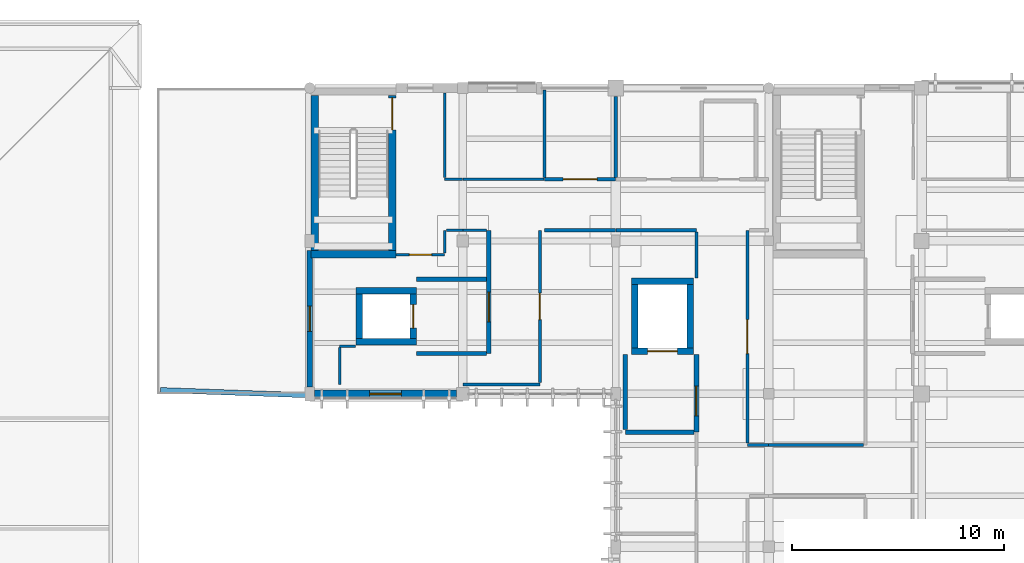
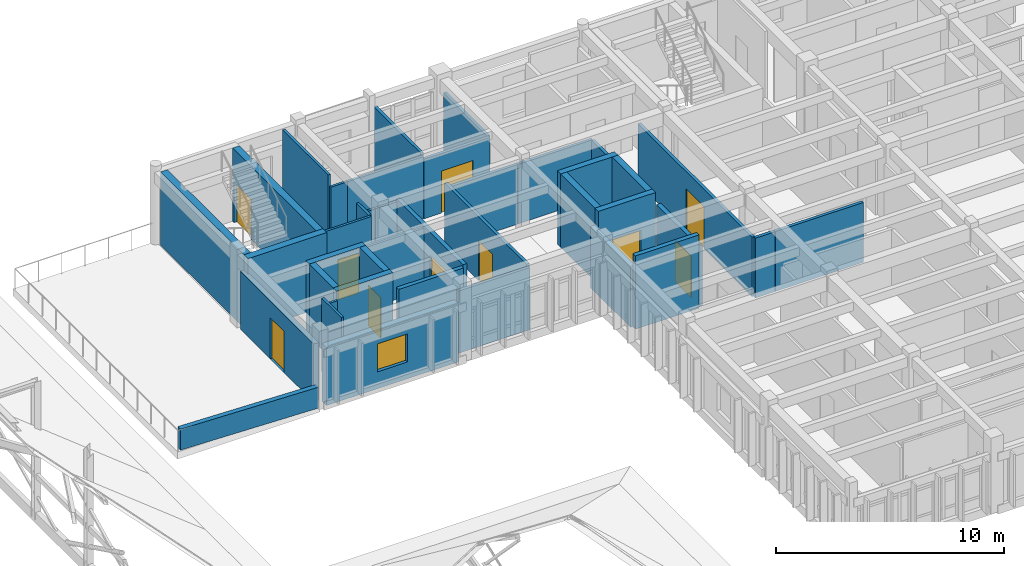
# One storey, part 36 of 51: 40 walls, 10 doors, 1 window, 11 openings.
"""IFC4 building model written with IfcOpenShell, lengths in metres."""

from ifc_helpers import new_model, si_unit, direction, frame, frame_2d, origin, place, context, subcontext, project, spatial, rectangle, extrude, material, layer, layer_set, type_object, element, fill, save


model = new_model("IFC4")

# Units and contexts
model_context = context("Model", 3, precision=1e-05, world=origin(), true_north=direction((0.0, 1.0)))
body_context = subcontext(model_context, "Body", "Model", "MODEL_VIEW")
ifc_project = project(units=[si_unit("LENGTHUNIT", "METRE"), si_unit("AREAUNIT", "SQUARE_METRE"), si_unit("VOLUMEUNIT", "CUBIC_METRE"), si_unit("PLANEANGLEUNIT", "RADIAN"), si_unit("MASSUNIT", "GRAM", prefix="KILO")], contexts=[model_context])

# Site, building, storey
site_placement = place(None, origin())
site = spatial("IfcSite", under=ifc_project, at=site_placement, CompositionType="ELEMENT")
building_placement = place(site_placement, origin())
building = spatial("IfcBuilding", under=site, at=building_placement, Name="Steenspoor Specialist Clinic", CompositionType="ELEMENT")
storey_placement = place(building_placement, frame((0.0, 0.0, 17.39990234375)))
storey = spatial("IfcBuildingStorey", under=building, at=storey_placement, Name="L04", CompositionType="ELEMENT", Elevation=17.39990234375)

# Wall, opening, window
ifc_material_1 = material(Name="Extruded clay brick masonry", Category="masonry")
ifc_layer_1 = layer(ifc_material_1, 0.3798828125)
ifc_layer_set_1 = layer_set([ifc_layer_1], Name="Extruded clay brick masonry")
wall_type_1 = type_object("IfcWallType", Name="W-BRICK-380", PredefinedType="USERDEFINED", material=ifc_layer_set_1)
wall_1_placement = place(storey_placement, frame((66.5, 93.949951171875, 0.0), z_axis=(0.0, 0.0, 1.0), x_axis=(-1.0, 0.0, 0.0)))
wall_1 = element("IfcWall", 1, at=wall_1_placement, inside=storey, type_object=wall_type_1, Name="Exterior Brick Wall EW-V4-L04-0198", ObjectType="CAVITY VENEER", PredefinedType="USERDEFINED", context=body_context, shape_type="SweptSolid", body=[
    extrude(rectangle(XDim=6.675048828125, YDim=0.3798828125, at=frame_2d((3.33740234375, 0.0))), origin(), (0.0, 0.0, 1.0), 3.10009765625),
])
opening_1_placement = place(wall_1_placement, frame((2.58740234375, 0.0, 0.89990234375)))
opening_1 = element("IfcOpeningElement", 2, at=opening_1_placement, cuts=wall_1, Name="Opening WN-12", PredefinedType="OPENING", context=body_context, shape_type="SweptSolid", body=[
    extrude(rectangle(XDim=1.5, YDim=1.5, at=frame_2d((0.75, 0.75))), frame((0.0, 0.199951171875, 0.0), z_axis=(0.0, -1.0, 0.0), x_axis=(1.0, 0.0, 0.0)), (0.0, 0.0, 1.0), 0.39990234375),
])
ifc_material_2 = material(Name="Thermally broken aluminium and low-emissivity glass", Category="aluminium")
window_type = type_object("IfcWindowType", Name="WN-EXT-150X150", PartitioningType="SINGLE_PANEL", PredefinedType="WINDOW", material=ifc_material_2)
window_placement = place(opening_1_placement, origin())
window = element("IfcWindow", 3, at=window_placement, inside=storey, type_object=window_type, Name="Window 0224", OverallHeight=1.5, OverallWidth=1.5, PartitioningType="SINGLE_PANEL", PredefinedType="WINDOW", context=body_context, shape_type="SweptSolid", body=[
    extrude(rectangle(XDim=1.5, YDim=1.5, at=frame_2d((0.75, 0.75))), frame((0.0, 0.030029296875, 0.0), z_axis=(0.0, -1.0, 0.0), x_axis=(1.0, 0.0, 0.0)), (0.0, 0.0, 1.0), 0.06005859375),
])
fill(opening_1, window)

# Walls
ifc_material_3 = material(Name="Gypsum acoustic clinical partition", Category="gypsum")
ifc_layer_2 = layer(ifc_material_3, 0.14990234375)
ifc_layer_set_2 = layer_set([ifc_layer_2], Name="Gypsum acoustic clinical partition")
wall_type_2 = type_object("IfcWallType", Name="W-CLIN-150", PredefinedType="PARTITIONING", material=ifc_layer_set_2)
wall_2_placement = place(storey_placement, frame((81.199951171875, 91.550048828125, 0.0), z_axis=(0.0, 0.0, 1.0), x_axis=(1.0, 0.0, 0.0)))
element("IfcWall", 4, at=wall_2_placement, inside=storey, type_object=wall_type_2, Name="Interior Partition IW-V4-L04-1803", PredefinedType="PARTITIONING", context=body_context, shape_type="SweptSolid", body=[
    extrude(rectangle(XDim=4.4599609375, YDim=0.14990234375, at=frame_2d((2.22998046875, 0.0))), origin(), (0.0, 0.0, 1.0), 3.205078125),
])
wall_3_placement = place(storey_placement, frame((80.199951171875, 91.550048828125, 0.0), z_axis=(0.0, 0.0, 1.0), x_axis=(1.0, 0.0, 0.0)))
element("IfcWall", 5, at=wall_3_placement, inside=storey, type_object=wall_type_2, Name="Interior Partition IW-V4-L04-1804", PredefinedType="PARTITIONING", context=body_context, shape_type="SweptSolid", body=[
    extrude(rectangle(XDim=0.985107421875, YDim=0.14990234375, at=frame_2d((0.49267578125, 0.0))), origin(), (0.0, 0.0, 1.0), 3.205078125),
])

# Wall, opening, door
wall_4_placement = place(storey_placement, frame((80.199951171875, 91.639892578125, 0.0), z_axis=(0.0, 0.0, 1.0), x_axis=(0.0, 1.0, 0.0)))
wall_4 = element("IfcWall", 6, at=wall_4_placement, inside=storey, type_object=wall_type_2, Name="Interior Partition IW-V4-L04-1805", PredefinedType="PARTITIONING", context=body_context, shape_type="SweptSolid", body=[
    extrude(rectangle(XDim=10.010009765625, YDim=0.14990234375, at=frame_2d((5.0048828125, 0.0))), origin(), (0.0, 0.0, 1.0), 3.18505859375),
])
opening_2_placement = place(wall_4_placement, frame((4.205078125, 0.0, 0.0)))
opening_2 = element("IfcOpeningElement", 7, at=opening_2_placement, cuts=wall_4, Name="Opening D0296", PredefinedType="OPENING", context=body_context, shape_type="SweptSolid", body=[
    extrude(rectangle(XDim=1.60009765625, YDim=2.25, at=frame_2d((0.800048828125, 1.125))), frame((0.0, 0.0849609375, 0.0), z_axis=(0.0, -1.0, 0.0), x_axis=(1.0, 0.0, 0.0)), (0.0, 0.0, 1.0), 0.169921875),
])
ifc_material_4 = material(Name="Hygienic HPL clinical timber door", Category="wood")
door_type_1 = type_object("IfcDoorType", Name="DT-PROC-160X225", OperationType="NOTDEFINED", PredefinedType="DOOR", material=ifc_material_4)
door_1_placement = place(opening_2_placement, origin())
door_1 = element("IfcDoor", 8, at=door_1_placement, inside=storey, type_object=door_type_1, Name="Clinical Door D0296", OperationType="SINGLE_SWING_LEFT", OverallHeight=2.25, OverallWidth=1.60009765625, PredefinedType="DOOR", context=body_context, shape_type="SweptSolid", body=[
    extrude(rectangle(XDim=1.60009765625, YDim=2.25, at=frame_2d((0.800048828125, 1.125))), frame((0.0, 0.02490234375, 0.0), z_axis=(0.0, -1.0, 0.0), x_axis=(1.0, 0.0, 0.0)), (0.0, 0.0, 1.0), 0.050048828125),
])
fill(opening_2, door_1)

# Wall
wall_5_placement = place(storey_placement, frame((66.800048828125, 94.39990234375, 0.0), z_axis=(0.0, 0.0, 1.0), x_axis=(1.0, 0.0, 0.0)))
element("IfcWall", 9, at=wall_5_placement, inside=storey, type_object=wall_type_2, Name="Interior Partition IW-V4-L04-1814", PredefinedType="PARTITIONING", context=body_context, shape_type="SweptSolid", body=[
    extrude(rectangle(XDim=3.6298828125, YDim=0.14990234375, at=frame_2d((1.81494140625, 0.0))), origin(), (0.0, 0.0, 1.0), 3.3251953125),
])

# Wall, opening, door
wall_6_placement = place(storey_placement, frame((70.429931640625, 94.489990234375, 0.0), z_axis=(0.0, 0.0, 1.0), x_axis=(0.0, 1.0, 0.0)))
wall_6 = element("IfcWall", 10, at=wall_6_placement, inside=storey, type_object=wall_type_2, Name="Interior Partition IW-V4-L04-1815", PredefinedType="PARTITIONING", context=body_context, shape_type="SweptSolid", body=[
    extrude(rectangle(XDim=7.159912109375, YDim=0.14990234375, at=frame_2d((3.580078125, 0.0))), origin(), (0.0, 0.0, 1.0), 3.425048828125),
])
opening_3_placement = place(wall_6_placement, frame((2.955078125, 0.0, 0.0)))
opening_3 = element("IfcOpeningElement", 11, at=opening_3_placement, cuts=wall_6, Name="Opening D0297", PredefinedType="OPENING", context=body_context, shape_type="SweptSolid", body=[
    extrude(rectangle(XDim=1.25, YDim=2.14990234375, at=frame_2d((0.625, 1.074951171875))), frame((0.0, 0.0849609375, 0.0), z_axis=(0.0, -1.0, 0.0), x_axis=(1.0, 0.0, 0.0)), (0.0, 0.0, 1.0), 0.169921875),
])
door_type_2 = type_object("IfcDoorType", Name="DT-EXAM-125X215", OperationType="NOTDEFINED", PredefinedType="DOOR", material=ifc_material_4)
door_2_placement = place(opening_3_placement, origin())
door_2 = element("IfcDoor", 12, at=door_2_placement, inside=storey, type_object=door_type_2, Name="Clinical Door D0297", OperationType="SINGLE_SWING_RIGHT", OverallHeight=2.14990234375, OverallWidth=1.25, PredefinedType="DOOR", context=body_context, shape_type="SweptSolid", body=[
    extrude(rectangle(XDim=1.25, YDim=2.14990234375, at=frame_2d((0.625, 1.074951171875))), frame((0.0, 0.02490234375, 0.0), z_axis=(0.0, -1.0, 0.0), x_axis=(1.0, 0.0, 0.0)), (0.0, 0.0, 1.0), 0.050048828125),
])
fill(opening_3, door_2)

# Walls
wall_7_placement = place(storey_placement, frame((70.64990234375, 101.64990234375, 0.0), z_axis=(0.0, 0.0, 1.0), x_axis=(1.0, 0.0, 0.0)))
element("IfcWall", 13, at=wall_7_placement, inside=storey, type_object=wall_type_2, Name="Interior Partition IW-V4-L04-1816", PredefinedType="PARTITIONING", context=body_context, shape_type="SweptSolid", body=[
    extrude(rectangle(XDim=3.35009765625, YDim=0.14990234375, at=frame_2d((1.675048828125, 0.0))), origin(), (0.0, 0.0, 1.0), 3.18505859375),
])
wall_8_placement = place(storey_placement, frame((74.014892578125, 101.64990234375, 0.0), z_axis=(0.0, 0.0, 1.0), x_axis=(1.0, 0.0, 0.0)))
element("IfcWall", 14, at=wall_8_placement, inside=storey, type_object=wall_type_2, Name="Interior Partition IW-V4-L04-1817", PredefinedType="PARTITIONING", context=body_context, shape_type="SweptSolid", body=[
    extrude(rectangle(XDim=3.78515625, YDim=0.14990234375, at=frame_2d((1.892578125, 0.0))), origin(), (0.0, 0.0, 1.0), 3.18505859375),
])
wall_9_placement = place(storey_placement, frame((77.800048828125, 99.39990234375, 0.0), z_axis=(0.0, 0.0, 1.0), x_axis=(0.0, 1.0, 0.0)))
element("IfcWall", 15, at=wall_9_placement, inside=storey, type_object=wall_type_2, Name="Interior Partition IW-V4-L04-1818", PredefinedType="PARTITIONING", context=body_context, shape_type="SweptSolid", body=[
    extrude(rectangle(XDim=2.16015625, YDim=0.14990234375, at=frame_2d((1.080078125, 0.0))), origin(), (0.0, 0.0, 1.0), 3.18505859375),
])

# Wall, opening, door
wall_10_placement = place(storey_placement, frame((70.64990234375, 104.050048828125, 0.0), z_axis=(0.0, 0.0, 1.0), x_axis=(1.0, 0.0, 0.0)))
wall_10 = element("IfcWall", 16, at=wall_10_placement, inside=storey, type_object=wall_type_2, Name="Interior Partition IW-V4-L04-1820", PredefinedType="PARTITIONING", context=body_context, shape_type="SweptSolid", body=[
    extrude(rectangle(XDim=3.35009765625, YDim=0.14990234375, at=frame_2d((1.675048828125, 0.0))), origin(), (0.0, 0.0, 1.0), 3.18505859375),
])
opening_4_placement = place(wall_10_placement, frame((0.875, 0.0, 0.0)))
opening_4 = element("IfcOpeningElement", 17, at=opening_4_placement, cuts=wall_10, Name="Opening D0301", PredefinedType="OPENING", context=body_context, shape_type="SweptSolid", body=[
    extrude(rectangle(XDim=1.60009765625, YDim=2.25, at=frame_2d((0.800048828125, 1.125))), frame((0.0, 0.0849609375, 0.0), z_axis=(0.0, -1.0, 0.0), x_axis=(1.0, 0.0, 0.0)), (0.0, 0.0, 1.0), 0.169921875),
])
door_3_placement = place(opening_4_placement, origin())
door_3 = element("IfcDoor", 18, at=door_3_placement, inside=storey, type_object=door_type_1, Name="Clinical Door D0301", OperationType="SINGLE_SWING_RIGHT", OverallHeight=2.25, OverallWidth=1.60009765625, PredefinedType="DOOR", context=body_context, shape_type="SweptSolid", body=[
    extrude(rectangle(XDim=1.60009765625, YDim=2.25, at=frame_2d((0.800048828125, 1.125))), frame((0.0, 0.02490234375, 0.0), z_axis=(0.0, -1.0, 0.0), x_axis=(1.0, 0.0, 0.0)), (0.0, 0.0, 1.0), 0.050048828125),
])
fill(opening_4, door_3)

# Walls
wall_11_placement = place(storey_placement, frame((70.64990234375, 104.139892578125, 0.0), z_axis=(0.0, 0.0, 1.0), x_axis=(0.0, 1.0, 0.0)))
element("IfcWall", 19, at=wall_11_placement, inside=storey, type_object=wall_type_2, Name="Interior Partition IW-V4-L04-1907", PredefinedType="PARTITIONING", context=body_context, shape_type="SweptSolid", body=[
    extrude(rectangle(XDim=4.105224609375, YDim=0.14990234375, at=frame_2d((2.052734375, 0.0))), origin(), (0.0, 0.0, 1.0), 3.445068359375),
])
wall_12_placement = place(storey_placement, frame((74.0, 104.139892578125, 0.0), z_axis=(0.0, 0.0, 1.0), x_axis=(0.0, 1.0, 0.0)))
element("IfcWall", 20, at=wall_12_placement, inside=storey, type_object=wall_type_2, Name="Interior Partition IW-V4-L04-1909", PredefinedType="PARTITIONING", context=body_context, shape_type="SweptSolid", body=[
    extrude(rectangle(XDim=3.820068359375, YDim=0.14990234375, at=frame_2d((1.91015625, 0.0))), origin(), (0.0, 0.0, 1.0), 3.18505859375),
])

# Wall, opening, door
ifc_material_5 = material(Name="Fire-rated clay blockwork masonry", Category="masonry")
ifc_layer_3 = layer(ifc_material_5, 0.219970703125)
ifc_layer_set_3 = layer_set([ifc_layer_3], Name="Fire-rated clay blockwork masonry")
wall_type_3 = type_object("IfcWallType", Name="W-FIRE-220", PredefinedType="PARTITIONING", material=ifc_layer_set_3)
wall_13_placement = place(storey_placement, frame((77.800048828125, 92.14990234375, 0.0), z_axis=(0.0, 0.0, 1.0), x_axis=(0.0, 1.0, 0.0)))
wall_13 = element("IfcWall", 21, at=wall_13_placement, inside=storey, type_object=wall_type_3, Name="Interior Partition IW-V4-L04-1786", PredefinedType="PARTITIONING", context=body_context, shape_type="SweptSolid", body=[
    extrude(rectangle(XDim=3.650146484375, YDim=0.219970703125, at=frame_2d((1.8251953125, 0.0))), origin(), (0.0, 0.0, 1.0), 3.255126953125),
])
opening_5_placement = place(wall_13_placement, frame((0.764892578125, 0.0, 0.0)))
opening_5 = element("IfcOpeningElement", 22, at=opening_5_placement, cuts=wall_13, Name="Opening D0287", PredefinedType="OPENING", context=body_context, shape_type="SweptSolid", body=[
    extrude(rectangle(XDim=1.39990234375, YDim=2.199951171875, at=frame_2d((0.699951171875, 1.10009765625))), frame((0.0, 0.1201171875, 0.0), z_axis=(0.0, -1.0, 0.0), x_axis=(1.0, 0.0, 0.0)), (0.0, 0.0, 1.0), 0.239990234375),
])
ifc_material_6 = material(Name="Fire-rated clinical laminate door", Category="steel")
door_type_3 = type_object("IfcDoorType", Name="DT-LAB-140X220", OperationType="NOTDEFINED", PredefinedType="DOOR", material=ifc_material_6)
door_4_placement = place(opening_5_placement, origin())
door_4 = element("IfcDoor", 23, at=door_4_placement, inside=storey, type_object=door_type_3, Name="Lift Lobby Fire Door D0287", OperationType="SINGLE_SWING_RIGHT", OverallHeight=2.199951171875, OverallWidth=1.39990234375, PredefinedType="DOOR", context=body_context, shape_type="SweptSolid", body=[
    extrude(rectangle(XDim=1.39990234375, YDim=2.199951171875, at=frame_2d((0.699951171875, 1.10009765625))), frame((0.0, 0.02490234375, 0.0), z_axis=(0.0, -1.0, 0.0), x_axis=(1.0, 0.0, 0.0)), (0.0, 0.0, 1.0), 0.050048828125),
])
fill(opening_5, door_4)

# Walls
wall_14_placement = place(storey_placement, frame((74.449951171875, 92.14990234375, 0.0), z_axis=(0.0, 0.0, 1.0), x_axis=(1.0, 0.0, 0.0)))
element("IfcWall", 24, at=wall_14_placement, inside=storey, type_object=wall_type_3, Name="Interior Partition IW-V4-L04-1792", PredefinedType="PARTITIONING", context=body_context, shape_type="SweptSolid", body=[
    extrude(rectangle(XDim=3.22509765625, YDim=0.219970703125, at=frame_2d((1.612548828125, 0.0))), origin(), (0.0, 0.0, 1.0), 3.920166015625),
])
wall_15_placement = place(storey_placement, frame((74.449951171875, 92.27490234375, 0.0), z_axis=(0.0, 0.0, 1.0), x_axis=(0.0, 1.0, 0.0)))
element("IfcWall", 25, at=wall_15_placement, inside=storey, type_object=wall_type_3, Name="Interior Partition IW-V4-L04-1793", PredefinedType="PARTITIONING", context=body_context, shape_type="SweptSolid", body=[
    extrude(rectangle(XDim=3.525146484375, YDim=0.219970703125, at=frame_2d((1.7626953125, 0.0))), origin(), (0.0, 0.0, 1.0), 3.255126953125),
])
ifc_layer_4 = layer(ifc_material_1, 0.239990234375)
ifc_layer_set_4 = layer_set([ifc_layer_4], Name="Extruded clay brick masonry")
wall_type_4 = type_object("IfcWallType", Name="W-PARAPET-240", PredefinedType="PARAPET", material=ifc_layer_set_4)
wall_16_placement = place(storey_placement, frame((52.580078125, 94.1298828125, 0.0), z_axis=(0.0, 0.0, 1.0), x_axis=(0.999385015723, -0.035065515079, 0.0)))
element("IfcWall", 26, at=wall_16_placement, inside=storey, type_object=wall_type_4, Name="Terrace Brick Parapet V4 L04 1", PredefinedType="PARAPET", context=body_context, shape_type="SweptSolid", body=[
    extrude(rectangle(XDim=6.843994140625, YDim=0.239990234375, at=frame_2d((3.421875, 0.0))), origin(), (0.0, 0.0, 1.0), 1.1201171875),
])
ifc_material_7 = material(Name="Gypsum studio partition board", Category="gypsum")
ifc_layer_5 = layer(ifc_material_7, 0.1201171875)
ifc_layer_set_5 = layer_set([ifc_layer_5], Name="Gypsum studio partition board")
wall_type_5 = type_object("IfcWallType", Name="W-PART-120", PredefinedType="PARTITIONING", material=ifc_layer_set_5)
wall_17_placement = place(storey_placement, frame((66.800048828125, 104.050048828125, 0.0), z_axis=(0.0, 0.0, 1.0), x_axis=(1.0, 0.0, 0.0)))
element("IfcWall", 27, at=wall_17_placement, inside=storey, type_object=wall_type_5, Name="Interior Partition IW-V4-L04-1852", PredefinedType="PARTITIONING", context=body_context, shape_type="SweptSolid", body=[
    extrude(rectangle(XDim=3.8349609375, YDim=0.1201171875, at=frame_2d((1.91748046875, 0.0))), origin(), (0.0, 0.0, 1.0), 3.3251953125),
])
wall_18_placement = place(storey_placement, frame((65.949951171875, 104.050048828125, 0.0), z_axis=(0.0, 0.0, 1.0), x_axis=(1.0, 0.0, 0.0)))
element("IfcWall", 28, at=wall_18_placement, inside=storey, type_object=wall_type_5, Name="Interior Partition IW-V4-L04-1853", PredefinedType="PARTITIONING", context=body_context, shape_type="SweptSolid", body=[
    extrude(rectangle(XDim=0.8349609375, YDim=0.1201171875, at=frame_2d((0.41748046875, 0.0))), origin(), (0.0, 0.0, 1.0), 3.3251953125),
])
wall_19_placement = place(storey_placement, frame((65.949951171875, 104.125, 0.0), z_axis=(0.0, 0.0, 1.0), x_axis=(0.0, 1.0, 0.0)))
element("IfcWall", 29, at=wall_19_placement, inside=storey, type_object=wall_type_5, Name="Interior Partition IW-V4-L04-1854", PredefinedType="PARTITIONING", context=body_context, shape_type="SweptSolid", body=[
    extrude(rectangle(XDim=3.989990234375, YDim=0.1201171875, at=frame_2d((1.9951171875, 0.0))), origin(), (0.0, 0.0, 1.0), 3.920166015625),
])

# Wall, opening, door
wall_20_placement = place(storey_placement, frame((63.6650390625, 100.5, 0.0), z_axis=(0.0, 0.0, 1.0), x_axis=(1.0, 0.0, 0.0)))
wall_20 = element("IfcWall", 30, at=wall_20_placement, inside=storey, type_object=wall_type_5, Name="Interior Partition IW-V4-L04-1855", PredefinedType="PARTITIONING", context=body_context, shape_type="SweptSolid", body=[
    extrude(rectangle(XDim=2.284912109375, YDim=0.1201171875, at=frame_2d((1.142578125, 0.0))), origin(), (0.0, 0.0, 1.0), 3.920166015625),
])
opening_6_placement = place(wall_20_placement, frame((0.617431640625, 0.0, 0.0)))
opening_6 = element("IfcOpeningElement", 31, at=opening_6_placement, cuts=wall_20, Name="Opening D0298", PredefinedType="OPENING", context=body_context, shape_type="SweptSolid", body=[
    extrude(rectangle(XDim=1.050048828125, YDim=2.14990234375, at=frame_2d((0.52490234375, 1.074951171875))), frame((0.0, 0.070068359375, 0.0), z_axis=(0.0, -1.0, 0.0), x_axis=(1.0, 0.0, 0.0)), (0.0, 0.0, 1.0), 0.14013671875),
])
ifc_material_8 = material(Name="Solid-core hardwood office door", Category="wood")
door_type_4 = type_object("IfcDoorType", Name="DT-OFF-105X215", OperationType="NOTDEFINED", PredefinedType="DOOR", material=ifc_material_8)
door_5_placement = place(opening_6_placement, origin())
door_5 = element("IfcDoor", 32, at=door_5_placement, inside=storey, type_object=door_type_4, Name="Clinical Door D0298", OperationType="SINGLE_SWING_LEFT", OverallHeight=2.14990234375, OverallWidth=1.050048828125, PredefinedType="DOOR", context=body_context, shape_type="SweptSolid", body=[
    extrude(rectangle(XDim=1.050048828125, YDim=2.14990234375, at=frame_2d((0.52490234375, 1.074951171875))), frame((0.0, 0.02490234375, 0.0), z_axis=(0.0, -1.0, 0.0), x_axis=(1.0, 0.0, 0.0)), (0.0, 0.0, 1.0), 0.050048828125),
])
fill(opening_6, door_5)

# Walls
wall_21_placement = place(storey_placement, frame((65.949951171875, 100.574951171875, 0.0), z_axis=(0.0, 0.0, 1.0), x_axis=(0.0, 1.0, 0.0)))
element("IfcWall", 33, at=wall_21_placement, inside=storey, type_object=wall_type_5, Name="Interior Partition IW-V4-L04-1856", PredefinedType="PARTITIONING", context=body_context, shape_type="SweptSolid", body=[
    extrude(rectangle(XDim=1.074951171875, YDim=0.1201171875, at=frame_2d((0.53759765625, 0.0))), origin(), (0.0, 0.0, 1.0), 3.920166015625),
])
wall_22_placement = place(storey_placement, frame((66.02490234375, 101.64990234375, 0.0), z_axis=(0.0, 0.0, 1.0), x_axis=(1.0, 0.0, 0.0)))
element("IfcWall", 34, at=wall_22_placement, inside=storey, type_object=wall_type_5, Name="Interior Partition IW-V4-L04-1857", PredefinedType="PARTITIONING", context=body_context, shape_type="SweptSolid", body=[
    extrude(rectangle(XDim=0.775146484375, YDim=0.1201171875, at=frame_2d((0.3876953125, 0.0))), origin(), (0.0, 0.0, 1.0), 3.3251953125),
])
wall_23_placement = place(storey_placement, frame((66.81494140625, 101.64990234375, 0.0), z_axis=(0.0, 0.0, 1.0), x_axis=(1.0, 0.0, 0.0)))
element("IfcWall", 35, at=wall_23_placement, inside=storey, type_object=wall_type_5, Name="Interior Partition IW-V4-L04-1858", PredefinedType="PARTITIONING", context=body_context, shape_type="SweptSolid", body=[
    extrude(rectangle(XDim=1.094970703125, YDim=0.1201171875, at=frame_2d((0.54736328125, 0.0))), origin(), (0.0, 0.0, 1.0), 3.3251953125),
])
wall_24_placement = place(storey_placement, frame((61.0, 96.199951171875, 0.0), z_axis=(0.0, 0.0, 1.0), x_axis=(1.0, 0.0, 0.0)))
element("IfcWall", 36, at=wall_24_placement, inside=storey, type_object=wall_type_5, Name="Interior Partition IW-V4-L04-1859", PredefinedType="PARTITIONING", context=body_context, shape_type="SweptSolid", body=[
    extrude(rectangle(XDim=0.760009765625, YDim=0.1201171875, at=frame_2d((0.3798828125, 0.0))), origin(), (0.0, 0.0, 1.0), 3.485107421875),
])
wall_25_placement = place(storey_placement, frame((61.0, 94.39990234375, 0.0), z_axis=(0.0, 0.0, 1.0), x_axis=(0.0, 1.0, 0.0)))
element("IfcWall", 37, at=wall_25_placement, inside=storey, type_object=wall_type_5, Name="Interior Partition IW-V4-L04-1860", PredefinedType="PARTITIONING", context=body_context, shape_type="SweptSolid", body=[
    extrude(rectangle(XDim=1.72509765625, YDim=0.1201171875, at=frame_2d((0.862548828125, 0.0))), origin(), (0.0, 0.0, 1.0), 3.920166015625),
])

# Wall, opening, door
ifc_layer_6 = layer(ifc_material_1, 0.260009765625)
ifc_layer_set_6 = layer_set([ifc_layer_6], Name="Extruded clay brick masonry")
wall_type_6 = type_object("IfcWallType", Name="W-SCREEN-260", PredefinedType="SOLIDWALL", material=ifc_layer_set_6)
wall_26_placement = place(storey_placement, frame((59.60009765625, 94.27490234375, 0.0), z_axis=(0.0, 0.0, 1.0), x_axis=(0.0, 1.0, 0.0)))
wall_26 = element("IfcWall", 38, at=wall_26_placement, inside=storey, type_object=wall_type_6, Name="Exterior Brick Wall EW-V4-L04-0199", PredefinedType="SOLIDWALL", context=body_context, shape_type="SweptSolid", body=[
    extrude(rectangle(XDim=6.425048828125, YDim=0.260009765625, at=frame_2d((3.21240234375, 0.0))), origin(), (0.0, 0.0, 1.0), 3.10009765625),
])
opening_7_placement = place(wall_26_placement, frame((2.612548828125, 0.0, 0.0)))
opening_7 = element("IfcOpeningElement", 39, at=opening_7_placement, cuts=wall_26, Name="Opening ED26", PredefinedType="OPENING", context=body_context, shape_type="SweptSolid", body=[
    extrude(rectangle(XDim=1.199951171875, YDim=2.199951171875, at=frame_2d((0.60009765625, 1.10009765625))), frame((0.0, 0.14013671875, 0.0), z_axis=(0.0, -1.0, 0.0), x_axis=(1.0, 0.0, 0.0)), (0.0, 0.0, 1.0), 0.280029296875),
])
ifc_material_9 = material(Name="Anodised aluminium and safety glass", Category="aluminium")
door_type_5 = type_object("IfcDoorType", Name="DT-TERR-120X220", OperationType="NOTDEFINED", PredefinedType="DOOR", material=ifc_material_9)
door_6_placement = place(opening_7_placement, origin())
door_6 = element("IfcDoor", 40, at=door_6_placement, inside=storey, type_object=door_type_5, Name="Roof Terrace Door ED26", OperationType="SINGLE_SWING_LEFT", OverallHeight=2.199951171875, OverallWidth=1.199951171875, PredefinedType="DOOR", context=body_context, shape_type="SweptSolid", body=[
    extrude(rectangle(XDim=1.199951171875, YDim=2.199951171875, at=frame_2d((0.60009765625, 1.10009765625))), frame((0.0, 0.02490234375, 0.0), z_axis=(0.0, -1.0, 0.0), x_axis=(1.0, 0.0, 0.0)), (0.0, 0.0, 1.0), 0.050048828125),
])
fill(opening_7, door_6)

ifc_material_10 = material(Name="Gypsum acoustic smoke barrier board", Category="gypsum")
ifc_layer_7 = layer(ifc_material_10, 0.199951171875)
ifc_layer_set_7 = layer_set([ifc_layer_7], Name="Gypsum acoustic smoke barrier board")
wall_type_7 = type_object("IfcWallType", Name="W-SMOKE-200", PredefinedType="PARTITIONING", material=ifc_layer_set_7)
wall_27_placement = place(storey_placement, frame((68.02490234375, 95.85009765625, 0.0), z_axis=(0.0, 0.0, 1.0), x_axis=(0.0, 1.0, 0.0)))
wall_27 = element("IfcWall", 41, at=wall_27_placement, inside=storey, type_object=wall_type_7, Name="Interior Partition IW-V4-L04-1788", PredefinedType="PARTITIONING", context=body_context, shape_type="SweptSolid", body=[
    extrude(rectangle(XDim=5.7998046875, YDim=0.199951171875, at=frame_2d((2.89990234375, 0.0))), origin(), (0.0, 0.0, 1.0), 3.425048828125),
])
opening_8_placement = place(wall_27_placement, frame((1.49609375, 0.0, 0.0)))
opening_8 = element("IfcOpeningElement", 42, at=opening_8_placement, cuts=wall_27, Name="Opening D0289", PredefinedType="OPENING", context=body_context, shape_type="SweptSolid", body=[
    extrude(rectangle(XDim=1.39990234375, YDim=2.199951171875, at=frame_2d((0.699951171875, 1.10009765625))), frame((0.0, 0.10986328125, 0.0), z_axis=(0.0, -1.0, 0.0), x_axis=(1.0, 0.0, 0.0)), (0.0, 0.0, 1.0), 0.219970703125),
])
door_7_placement = place(opening_8_placement, origin())
door_7 = element("IfcDoor", 43, at=door_7_placement, inside=storey, type_object=door_type_3, Name="Lift Lobby Fire Door D0289", OperationType="SINGLE_SWING_RIGHT", OverallHeight=2.199951171875, OverallWidth=1.39990234375, PredefinedType="DOOR", context=body_context, shape_type="SweptSolid", body=[
    extrude(rectangle(XDim=1.39990234375, YDim=2.199951171875, at=frame_2d((0.699951171875, 1.10009765625))), frame((0.0, 0.02490234375, 0.0), z_axis=(0.0, -1.0, 0.0), x_axis=(1.0, 0.0, 0.0)), (0.0, 0.0, 1.0), 0.050048828125),
])
fill(opening_8, door_7)

# Walls
for number, where, z_axis, x_axis, name in (
    (44, (64.625, 95.85009765625, 0.0), (0.0, 0.0, 1.0), (1.0, 0.0, 0.0), "Interior Partition IW-V4-L04-1789"),
    (45, (64.625, 99.35009765625, 0.0), (0.0, 0.0, 1.0), (1.0, 0.0, 0.0), "Interior Partition IW-V4-L04-1796"),
):
    element("IfcWall", number, at=place(storey_placement, frame(where, z_axis=z_axis, x_axis=x_axis)), inside=storey, type_object=wall_type_7, Name=name, PredefinedType="PARTITIONING", context=body_context, shape_type="SweptSolid", body=[
        extrude(rectangle(XDim=3.284912109375, YDim=0.199951171875, at=frame_2d((1.642578125, 0.0))), origin(), (0.0, 0.0, 1.0), 3.3251953125),
    ])

# Wall, opening, door
ifc_material_11 = material(Name="Concrete C40/50", Category="concrete")
ifc_layer_8 = layer(ifc_material_11, 0.300048828125)
ifc_layer_set_8 = layer_set([ifc_layer_8], Name="Concrete C40/50")
wall_type_8 = type_object("IfcWallType", Name="W-SW-300", PredefinedType="SHEAR", material=ifc_layer_set_8)
wall_28_placement = place(storey_placement, frame((74.75, 95.949951171875, 0.0), z_axis=(0.0, 0.0, 1.0), x_axis=(1.0, 0.0, 0.0)))
wall_28 = element("IfcWall", 46, at=wall_28_placement, inside=storey, type_object=wall_type_8, Name="Lift Shaft Shear Wall SW-EL-S1-L04-S", PredefinedType="SHEAR", context=body_context, shape_type="SweptSolid", body=[
    extrude(rectangle(XDim=2.89990234375, YDim=0.300048828125, at=frame_2d((1.449951171875, 0.0))), origin(), (0.0, 0.0, 1.0), 3.920166015625),
])
opening_9_placement = place(wall_28_placement, frame((0.75, 0.0, 0.0)))
opening_9 = element("IfcOpeningElement", 47, at=opening_9_placement, cuts=wall_28, Name="Opening LD05", PredefinedType="OPENING", context=body_context, shape_type="SweptSolid", body=[
    extrude(rectangle(XDim=1.39990234375, YDim=2.14990234375, at=frame_2d((0.699951171875, 1.074951171875))), frame((0.0, 0.16015625, 0.0), z_axis=(0.0, -1.0, 0.0), x_axis=(1.0, 0.0, 0.0)), (0.0, 0.0, 1.0), 0.320068359375),
])
ifc_material_12 = material(Name="Stainless steel lift landing door", Category="steel")
door_type_6 = type_object("IfcDoorType", Name="DT-LIFT-S-140", OperationType="NOTDEFINED", PredefinedType="DOOR", material=ifc_material_12)
door_8_placement = place(opening_9_placement, origin())
door_8 = element("IfcDoor", 48, at=door_8_placement, inside=storey, type_object=door_type_6, Name="Lift Landing Door LD05", OperationType="SLIDING_TO_LEFT", OverallHeight=2.14990234375, OverallWidth=1.39990234375, PredefinedType="DOOR", context=body_context, shape_type="SweptSolid", body=[
    extrude(rectangle(XDim=1.39990234375, YDim=2.14990234375, at=frame_2d((0.699951171875, 1.074951171875))), frame((0.0, 0.02490234375, 0.0), z_axis=(0.0, -1.0, 0.0), x_axis=(1.0, 0.0, 0.0)), (0.0, 0.0, 1.0), 0.050048828125),
])
fill(opening_9, door_8)

# Walls
wall_29_placement = place(storey_placement, frame((74.75, 99.25, 0.0), z_axis=(0.0, 0.0, 1.0), x_axis=(1.0, 0.0, 0.0)))
element("IfcWall", 49, at=wall_29_placement, inside=storey, type_object=wall_type_8, Name="Lift Shaft Shear Wall SW-EL-S1-L04-N", PredefinedType="SHEAR", context=body_context, shape_type="SweptSolid", body=[
    extrude(rectangle(XDim=2.89990234375, YDim=0.300048828125, at=frame_2d((1.449951171875, 0.0))), origin(), (0.0, 0.0, 1.0), 3.920166015625),
])
for number, where, z_axis, x_axis, name in (
    (50, (74.89990234375, 96.10009765625, 0.0), (0.0, 0.0, 1.0), (0.0, 1.0, 0.0), "Lift Shaft Shear Wall SW-EL-S1-L04-W"),
    (51, (77.5, 96.10009765625, 0.0), (0.0, 0.0, 1.0), (0.0, 1.0, 0.0), "Lift Shaft Shear Wall SW-EL-S1-L04-E"),
):
    element("IfcWall", number, at=place(storey_placement, frame(where, z_axis=z_axis, x_axis=x_axis)), inside=storey, type_object=wall_type_8, Name=name, PredefinedType="SHEAR", context=body_context, shape_type="SweptSolid", body=[
        extrude(rectangle(XDim=3.0, YDim=0.300048828125, at=frame_2d((1.5, 0.0))), origin(), (0.0, 0.0, 1.0), 3.920166015625),
    ])
for number, where, z_axis, x_axis, name in (
    (52, (61.77490234375, 96.39990234375, 0.0), (0.0, 0.0, 1.0), (1.0, 0.0, 0.0), "Lift Shaft Shear Wall SW-EL-P2-L04-S"),
    (53, (61.77490234375, 98.800048828125, 0.0), (0.0, 0.0, 1.0), (1.0, 0.0, 0.0), "Lift Shaft Shear Wall SW-EL-P2-L04-N"),
):
    element("IfcWall", number, at=place(storey_placement, frame(where, z_axis=z_axis, x_axis=x_axis)), inside=storey, type_object=wall_type_8, Name=name, PredefinedType="SHEAR", context=body_context, shape_type="SweptSolid", body=[
        extrude(rectangle(XDim=2.85009765625, YDim=0.300048828125, at=frame_2d((1.425048828125, 0.0))), origin(), (0.0, 0.0, 1.0), 3.920166015625),
    ])
wall_30_placement = place(storey_placement, frame((61.925048828125, 96.550048828125, 0.0), z_axis=(0.0, 0.0, 1.0), x_axis=(0.0, 1.0, 0.0)))
element("IfcWall", 54, at=wall_30_placement, inside=storey, type_object=wall_type_8, Name="Lift Shaft Shear Wall SW-EL-P2-L04-W", PredefinedType="SHEAR", context=body_context, shape_type="SweptSolid", body=[
    extrude(rectangle(XDim=2.099853515625, YDim=0.300048828125, at=frame_2d((1.0498046875, 0.0))), origin(), (0.0, 0.0, 1.0), 3.920166015625),
])

# Wall, opening, door
wall_31_placement = place(storey_placement, frame((64.47509765625, 96.550048828125, 0.0), z_axis=(0.0, 0.0, 1.0), x_axis=(0.0, 1.0, 0.0)))
wall_31 = element("IfcWall", 55, at=wall_31_placement, inside=storey, type_object=wall_type_8, Name="Lift Shaft Shear Wall SW-EL-P2-L04-E", PredefinedType="SHEAR", context=body_context, shape_type="SweptSolid", body=[
    extrude(rectangle(XDim=2.099853515625, YDim=0.300048828125, at=frame_2d((1.0498046875, 0.0))), origin(), (0.0, 0.0, 1.0), 3.920166015625),
])
opening_10_placement = place(wall_31_placement, frame((0.5, 0.0, 0.0)))
opening_10 = element("IfcOpeningElement", 56, at=opening_10_placement, cuts=wall_31, Name="Opening LD21", PredefinedType="OPENING", context=body_context, shape_type="SweptSolid", body=[
    extrude(rectangle(XDim=1.10009765625, YDim=2.14990234375, at=frame_2d((0.550048828125, 1.074951171875))), frame((0.0, 0.16015625, 0.0), z_axis=(0.0, -1.0, 0.0), x_axis=(1.0, 0.0, 0.0)), (0.0, 0.0, 1.0), 0.320068359375),
])
door_type_7 = type_object("IfcDoorType", Name="DT-LIFT-P-110", OperationType="NOTDEFINED", PredefinedType="DOOR", material=ifc_material_12)
door_9_placement = place(opening_10_placement, origin())
door_9 = element("IfcDoor", 57, at=door_9_placement, inside=storey, type_object=door_type_7, Name="Lift Landing Door LD21", OperationType="SLIDING_TO_LEFT", OverallHeight=2.14990234375, OverallWidth=1.10009765625, PredefinedType="DOOR", context=body_context, shape_type="SweptSolid", body=[
    extrude(rectangle(XDim=1.10009765625, YDim=2.14990234375, at=frame_2d((0.550048828125, 1.074951171875))), frame((0.0, 0.02490234375, 0.0), z_axis=(0.0, -1.0, 0.0), x_axis=(1.0, 0.0, 0.0)), (0.0, 0.0, 1.0), 0.050048828125),
])
fill(opening_10, door_9)

# Walls
ifc_layer_9 = layer(ifc_material_11, 0.35009765625)
ifc_layer_set_9 = layer_set([ifc_layer_9], Name="Concrete C40/50")
wall_type_9 = type_object("IfcWallType", Name="W-SW-350", PredefinedType="SHEAR", material=ifc_layer_set_9)
wall_32_placement = place(storey_placement, frame((59.64990234375, 100.52490234375, 0.0), z_axis=(0.0, 0.0, 1.0), x_axis=(1.0, 0.0, 0.0)))
element("IfcWall", 58, at=wall_32_placement, inside=storey, type_object=wall_type_9, Name="Core Shear Wall SW-ST-V4A-L04-S", PredefinedType="SHEAR", context=body_context, shape_type="SweptSolid", body=[
    extrude(rectangle(XDim=4.0, YDim=0.35009765625, at=frame_2d((2.0, 0.0))), origin(), (0.0, 0.0, 1.0), 3.920166015625),
])
wall_33_placement = place(storey_placement, frame((59.824951171875, 100.699951171875, 0.0), z_axis=(0.0, 0.0, 1.0), x_axis=(0.0, 1.0, 0.0)))
element("IfcWall", 59, at=wall_33_placement, inside=storey, type_object=wall_type_9, Name="Core Shear Wall SW-ST-V4A-L04-W", PredefinedType="SHEAR", context=body_context, shape_type="SweptSolid", body=[
    extrude(rectangle(XDim=7.300048828125, YDim=0.35009765625, at=frame_2d((3.64990234375, 0.0))), origin(), (0.0, 0.0, 1.0), 3.920166015625),
])

# Wall, opening, door
wall_34_placement = place(storey_placement, frame((63.47509765625, 100.699951171875, 0.0), z_axis=(0.0, 0.0, 1.0), x_axis=(0.0, 1.0, 0.0)))
wall_34 = element("IfcWall", 60, at=wall_34_placement, inside=storey, type_object=wall_type_9, Name="Core Shear Wall SW-ST-V4A-L04-E", PredefinedType="SHEAR", context=body_context, shape_type="SweptSolid", body=[
    extrude(rectangle(XDim=7.300048828125, YDim=0.35009765625, at=frame_2d((3.64990234375, 0.0))), origin(), (0.0, 0.0, 1.0), 3.920166015625),
])
opening_11_placement = place(wall_34_placement, frame((5.679931640625, 0.0, 0.0)))
opening_11 = element("IfcOpeningElement", 61, at=opening_11_placement, cuts=wall_34, Name="Opening SD013", PredefinedType="OPENING", context=body_context, shape_type="SweptSolid", body=[
    extrude(rectangle(XDim=1.5, YDim=2.14990234375, at=frame_2d((0.75, 1.074951171875))), frame((0.0, 0.18505859375, 0.0), z_axis=(0.0, -1.0, 0.0), x_axis=(1.0, 0.0, 0.0)), (0.0, 0.0, 1.0), 0.3701171875),
])
ifc_material_13 = material(Name="Fire-rated steel acoustic door", Category="steel")
door_type_8 = type_object("IfcDoorType", Name="DT-STAIR-150X215", OperationType="NOTDEFINED", PredefinedType="DOOR", material=ifc_material_13)
door_10_placement = place(opening_11_placement, origin())
door_10 = element("IfcDoor", 62, at=door_10_placement, inside=storey, type_object=door_type_8, Name="Exit Stair Fire Door SD013", OperationType="SINGLE_SWING_RIGHT", OverallHeight=2.14990234375, OverallWidth=1.5, PredefinedType="DOOR", context=body_context, shape_type="SweptSolid", body=[
    extrude(rectangle(XDim=1.5, YDim=2.14990234375, at=frame_2d((0.75, 1.074951171875))), frame((0.0, 0.02490234375, 0.0), z_axis=(0.0, -1.0, 0.0), x_axis=(1.0, 0.0, 0.0)), (0.0, 0.0, 1.0), 0.050048828125),
])
fill(opening_11, door_10)

save(model, "model.ifc")
